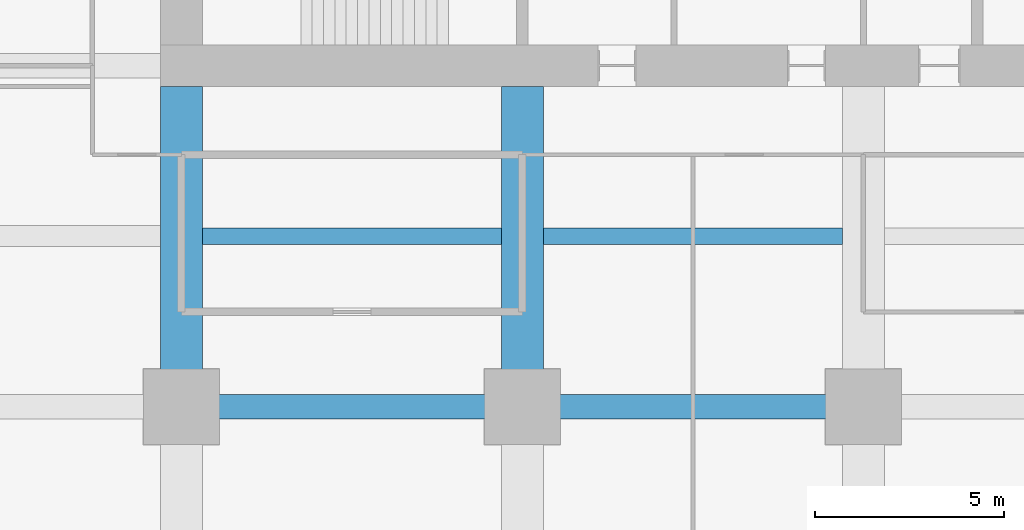
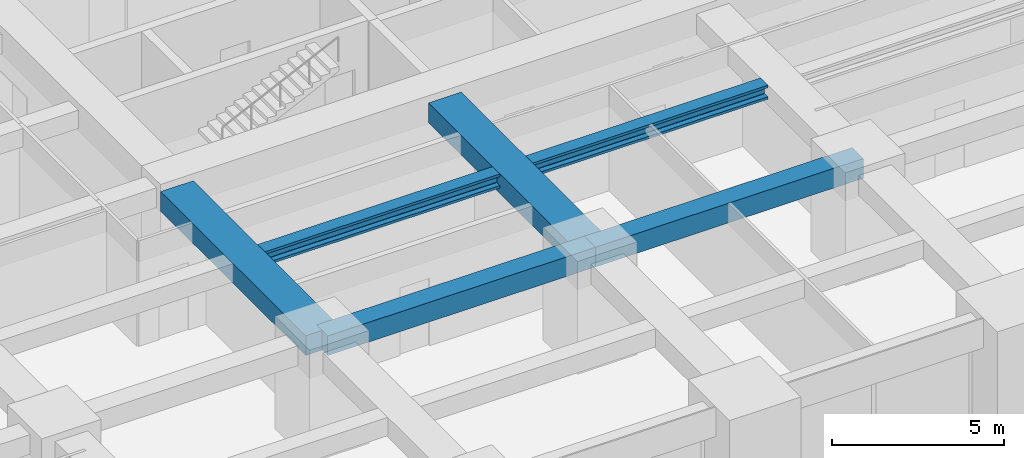
# One storey, part 8 of 40: 6 beams.
"""IFC4 building model written with IfcOpenShell, lengths in metres."""

import ifcopenshell
import ifcopenshell.guid

model = None  # the IFC model being written
_history = None  # IfcOwnerHistory: only IFC2X3 demands one
_inside = {}  # id of a spatial element -> (the spatial element, [elements in it])
_under = {}  # id of a project, library or spatial element -> (it, [spatial elements below it])
_declared = {}  # id of a project -> (the project, [libraries it declares])
_typed = {}  # id of a type object -> (the type object, [elements of that type])
_made_of = {}  # id of a material, layer set ... -> (it, [elements and type objects made of it])


def new_model(schema):
    """Start an empty IFC model of exactly this schema.

    Asked for "IFC4X3", IfcOpenShell would pick the latest addendum, in which some entities
    have other attributes; the version numbers below select the first issue.
    IFC2X3 requires an IfcOwnerHistory on every rooted entity: one is made here for all.
    """
    global model, _history
    if schema == "IFC4X3":
        model = ifcopenshell.file(schema_version=(4, 3, 0, 0))
    else:
        model = ifcopenshell.file(schema=schema)
    _inside.clear()
    _under.clear()
    _declared.clear()
    _typed.clear()
    _made_of.clear()
    _history = None
    if model.schema == "IFC2X3":
        org = make("IfcOrganization", Name="unknown")
        user = make(
            "IfcPersonAndOrganization",
            ThePerson=make("IfcPerson", FamilyName="unknown"),
            TheOrganization=org,
        )
        app = make(
            "IfcApplication",
            ApplicationDeveloper=org,
            Version="unknown",
            ApplicationFullName="unknown",
            ApplicationIdentifier="unknown",
        )
        _history = make(
            "IfcOwnerHistory",
            OwningUser=user,
            OwningApplication=app,
            ChangeAction="ADDED",
            CreationDate=0,
        )
    return model


def make(cls, **values):
    """One entity of the class cls with the attributes given. An attribute that is None is left unset."""
    return model.create_entity(
        cls, **{name: value for name, value in values.items() if value is not None}
    )


def rooted(cls, **values):
    """An entity with a GlobalId (a new one), such as an element, a storey or a relation."""
    return make(cls, GlobalId=ifcopenshell.guid.new(), OwnerHistory=_history, **values)


def si_unit(unit_type, name, prefix=None):
    """IfcSIUnit, for example si_unit("LENGTHUNIT", "METRE", prefix="MILLI")."""
    return make("IfcSIUnit", UnitType=unit_type, Prefix=prefix, Name=name)


def assignment(units):
    """IfcUnitAssignment: the units of a project."""
    return None if units is None else make("IfcUnitAssignment", Units=units)


def point(xyz):
    """IfcCartesianPoint."""
    return None if xyz is None else make("IfcCartesianPoint", Coordinates=xyz)


def direction(xyz):
    """IfcDirection."""
    return None if xyz is None else make("IfcDirection", DirectionRatios=xyz)


def frame(location, z_axis=None, x_axis=None):
    """IfcAxis2Placement3D, a coordinate frame: its origin and axes. An axis left out is left unset."""
    return make(
        "IfcAxis2Placement3D",
        Location=point(location),
        Axis=direction(z_axis),
        RefDirection=direction(x_axis),
    )


def frame_2d(location, x_axis=None):
    """IfcAxis2Placement2D, a coordinate frame in the plane: its origin and x axis."""
    return make(
        "IfcAxis2Placement2D", Location=point(location), RefDirection=direction(x_axis)
    )


def origin():
    """The frame at (0, 0, 0) with its axes left unset."""
    return frame((0.0, 0.0, 0.0))


def origin_2d():
    """The frame at (0, 0) in the plane with its x axis left unset."""
    return frame_2d((0.0, 0.0))


def place(relative_to, where):
    """IfcLocalPlacement: puts the frame where relative to a parent placement (None: the world)."""
    return make(
        "IfcLocalPlacement", PlacementRelTo=relative_to, RelativePlacement=where
    )


def context(
    kind, dimensions, precision=None, world=None, true_north=None, identifier=None
):
    """IfcGeometricRepresentationContext, for example the 3D "Model" context."""
    return make(
        "IfcGeometricRepresentationContext",
        ContextIdentifier=identifier,
        ContextType=kind,
        CoordinateSpaceDimension=dimensions,
        Precision=precision,
        WorldCoordinateSystem=world,
        TrueNorth=true_north,
    )


def subcontext(parent, identifier, kind, view, scale=None):
    """IfcGeometricRepresentationSubContext, for example "Body" below "Model"."""
    return make(
        "IfcGeometricRepresentationSubContext",
        ContextIdentifier=identifier,
        ContextType=kind,
        ParentContext=parent,
        TargetScale=scale,
        TargetView=view,
    )


def project(units=None, contexts=None):
    """IfcProject with its units and contexts."""
    return rooted(
        "IfcProject",
        Name="project",
        RepresentationContexts=contexts,
        UnitsInContext=assignment(units),
    )


def spatial(cls, under=None, at=None, **own):
    """A site, building, storey or space (cls), placed at a placement, below another one or the project."""
    s = rooted(cls, ObjectPlacement=at, **own)
    if under is not None:
        _under.setdefault(under.id(), (under, []))[1].append(s)
    return s


def profile(cls, at=None, kind="AREA", **sizes):
    """A parametric profile (cls). Its sizes go by their IFC names, for example OverallWidth=200.0."""
    return make(cls, ProfileType=kind, Position=at, **sizes)


def rectangle(**sizes):
    """IfcRectangleProfileDef."""
    return profile("IfcRectangleProfileDef", **sizes)


def i_section(**sizes):
    """IfcIShapeProfileDef."""
    return profile("IfcIShapeProfileDef", **sizes)


def extrude(swept, where, along, depth):
    """IfcExtrudedAreaSolid: the profile swept, set in the frame where, extruded along a direction by depth."""
    return make(
        "IfcExtrudedAreaSolid",
        SweptArea=swept,
        Position=where,
        ExtrudedDirection=direction(along),
        Depth=depth,
    )


def shape(context_of_items, identifier, shape_type, items):
    """IfcShapeRepresentation: the items that make up one representation, for example the "Body"."""
    return make(
        "IfcShapeRepresentation",
        ContextOfItems=context_of_items,
        RepresentationIdentifier=identifier,
        RepresentationType=shape_type,
        Items=items,
    )


def material(Name=None, Category=None):
    """IfcMaterial."""
    return make("IfcMaterial", Name=Name, Category=Category)


def material_profile(
    of_material, cross_section, Name=None, Category=None, Priority=None
):
    """IfcMaterialProfile: a cross section and its material."""
    return make(
        "IfcMaterialProfile",
        Name=Name,
        Material=of_material,
        Profile=cross_section,
        Priority=Priority,
        Category=Category,
    )


def profile_set(profiles, Name=None, composite=None):
    """IfcMaterialProfileSet."""
    return make(
        "IfcMaterialProfileSet",
        Name=Name,
        MaterialProfiles=profiles,
        CompositeProfile=composite,
    )


def made_of(thing, what):
    """Note that an element or type object is made of a material, layer set ...; save() writes the relation."""
    if what is not None:
        _made_of.setdefault(what.id(), (what, []))[1].append(thing)
    return thing


def type_object(cls, material=None, **own):
    """A type object (cls), such as IfcWallType, which elements share."""
    return made_of(rooted(cls, **own), material)


def element(
    cls,
    number,
    at=None,
    inside=None,
    cuts=None,
    type_object=None,
    material=None,
    context=None,
    identifier="Body",
    shape_type=None,
    held_by="IfcProductDefinitionShape",
    body=None,
    shapes=None,
    **own,
):
    """One element of the class cls, such as IfcWall. Its Tag is "e" and its number.

    at: its placement. inside: the storey or other place that contains it. cuts: it is an
    opening in that element (IfcRelVoidsElement). A single representation is given by context,
    identifier, shape_type and body (its items); several are given by shapes. held_by: the class
    of the entity that holds the representations. save() writes the other relations.
    """
    e = rooted(cls, Tag="e%d" % number, ObjectPlacement=at, **own)
    if body is not None:
        shapes = [shape(context, identifier, shape_type, body)]
    if shapes is not None:
        e.Representation = make(held_by, Representations=shapes)
    if inside is not None:
        _inside.setdefault(inside.id(), (inside, []))[1].append(e)
    if cuts is not None:
        rooted(
            "IfcRelVoidsElement", RelatingBuildingElement=cuts, RelatedOpeningElement=e
        )
    if type_object is not None:
        _typed.setdefault(type_object.id(), (type_object, []))[1].append(e)
    return made_of(e, material)


def aggregate(whole, parts):
    """IfcRelAggregates: a whole, such as a stair, and the parts it consists of."""
    return rooted("IfcRelAggregates", RelatingObject=whole, RelatedObjects=parts)


def save(model, path):
    """Write the relations noted so far, then the file.

    IfcRelAggregates (storeys below a building ...), IfcRelContainedInSpatialStructure (elements
    in a storey), IfcRelDefinesByType, IfcRelAssociatesMaterial and IfcRelDeclares: one each for
    every whole, place, type object, material and project.
    """
    for whole, parts in _under.values():
        aggregate(whole, parts)
    for where, things in _inside.values():
        rooted(
            "IfcRelContainedInSpatialStructure",
            RelatedElements=things,
            RelatingStructure=where,
        )
    for kind, things in _typed.values():
        rooted("IfcRelDefinesByType", RelatedObjects=things, RelatingType=kind)
    for what, things in _made_of.values():
        rooted("IfcRelAssociatesMaterial", RelatedObjects=things, RelatingMaterial=what)
    for by, libraries in _declared.values():
        rooted("IfcRelDeclares", RelatingContext=by, RelatedDefinitions=libraries)
    model.write(path)


model = new_model("IFC4")

# Units and contexts
model_context = context("Model", 3, precision=1e-05, world=origin(), true_north=direction((0.0, 1.0)))
body_context = subcontext(model_context, "Body", "Model", "MODEL_VIEW")
ifc_project = project(units=[si_unit("LENGTHUNIT", "METRE"), si_unit("AREAUNIT", "SQUARE_METRE"), si_unit("VOLUMEUNIT", "CUBIC_METRE"), si_unit("PLANEANGLEUNIT", "RADIAN"), si_unit("MASSUNIT", "GRAM", prefix="KILO")], contexts=[model_context])

# Site, building, storey
site_placement = place(None, origin())
site = spatial("IfcSite", under=ifc_project, at=site_placement, CompositionType="ELEMENT")
building_placement = place(site_placement, origin())
building = spatial("IfcBuilding", under=site, at=building_placement, Name="Zorevar Civic Tower", CompositionType="ELEMENT")
storey_placement = place(building_placement, frame((0.0, 0.0, 93.0)))
storey = spatial("IfcBuildingStorey", under=building, at=storey_placement, Name="L22", CompositionType="ELEMENT", Elevation=93.0)

# Beams
ifc_material_1 = material(Name="Concrete C50/60", Category="concrete")
ifc_material_profile_1 = material_profile(ifc_material_1, rectangle(XDim=1.10009765625, YDim=0.699951171875, at=origin_2d()), Name="RC 1100x700")
ifc_profile_set_1 = profile_set([ifc_material_profile_1], Name="Concrete C50/60")
beam_type_1 = type_object("IfcBeamType", Name="Beam RC 1100x700", PredefinedType="BEAM", material=ifc_profile_set_1)
for number, where, z_axis, x_axis, name in (
    (1, (18.0, 9.0, 3.39990234375), (0.0, 1.0, 0.0), (-1.0, 0.0, 0.0), "Girder L23"),
    (2, (27.0, 9.0, 3.39990234375), (0.0, 1.0, 0.0), (-1.0, 0.0, 0.0), "Girder L23"),
):
    element("IfcBeam", number, at=place(storey_placement, frame(where, z_axis=z_axis, x_axis=x_axis)), inside=storey, type_object=beam_type_1, Name=name, PredefinedType="BEAM", context=body_context, shape_type="SweptSolid", body=[
        extrude(rectangle(XDim=1.10009765625, YDim=0.699951171875, at=origin_2d()), origin(), (0.0, 0.0, 1.0), 8.449951171875),
    ])
ifc_material_2 = material(Name="Concrete C50/60", Category="concrete")
ifc_material_profile_2 = material_profile(ifc_material_2, rectangle(XDim=0.64990234375, YDim=0.699951171875, at=origin_2d()), Name="RC 650x700")
ifc_profile_set_2 = profile_set([ifc_material_profile_2], Name="Concrete C50/60")
beam_type_2 = type_object("IfcBeamType", Name="Beam RC 650x700", PredefinedType="BEAM", material=ifc_profile_set_2)
for number, where, z_axis, x_axis, name in (
    (3, (18.0, 9.0, 3.39990234375), (1.0, 0.0, 0.0), (0.0, 1.0, 0.0), "Girder L23"),
    (4, (27.0, 9.0, 3.39990234375), (1.0, 0.0, 0.0), (0.0, 1.0, 0.0), "Girder L23"),
):
    element("IfcBeam", number, at=place(storey_placement, frame(where, z_axis=z_axis, x_axis=x_axis)), inside=storey, type_object=beam_type_2, Name=name, PredefinedType="BEAM", context=body_context, shape_type="SweptSolid", body=[
        extrude(rectangle(XDim=0.64990234375, YDim=0.699951171875, at=origin_2d()), origin(), (0.0, 0.0, 1.0), 9.0),
    ])
ifc_material_3 = material(Name="Steel S460M (HISTAR 460)", Category="steel")
ifc_material_profile_3 = material_profile(ifc_material_3, i_section(OverallWidth=0.431884765625, OverallDepth=0.498046875, WebThickness=0.0556640625, FlangeThickness=0.0888671875, FilletRadius=0.014892578125, at=origin_2d()), Name="HD 400x744")
ifc_profile_set_3 = profile_set([ifc_material_profile_3], Name="Steel S460M (HISTAR 460)")
beam_type_3 = type_object("IfcBeamType", Name="Core bay beam HD 400x744", PredefinedType="BEAM", material=ifc_profile_set_3)
for number, where, z_axis, x_axis, name in (
    (5, (18.550048828125, 13.5, 3.5009765625), (1.0, 0.0, 0.0), (0.0, 1.0, 0.0), "Secondary beam L23"),
    (6, (27.550048828125, 13.5, 3.5009765625), (1.0, 0.0, 0.0), (0.0, 1.0, 0.0), "Secondary beam L23"),
):
    element("IfcBeam", number, at=place(storey_placement, frame(where, z_axis=z_axis, x_axis=x_axis)), inside=storey, type_object=beam_type_3, Name=name, PredefinedType="BEAM", context=body_context, shape_type="SweptSolid", body=[
        extrude(i_section(OverallWidth=0.431884765625, OverallDepth=0.498046875, WebThickness=0.0556640625, FlangeThickness=0.0888671875, FilletRadius=0.014892578125, at=origin_2d()), origin(), (0.0, 0.0, 1.0), 7.89990234375),
    ])

save(model, "model.ifc")
